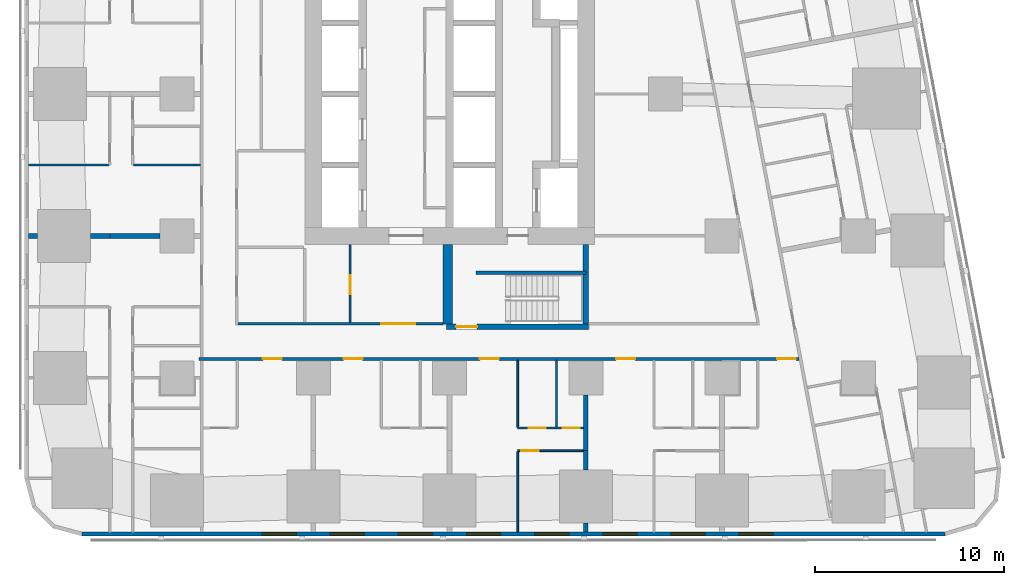
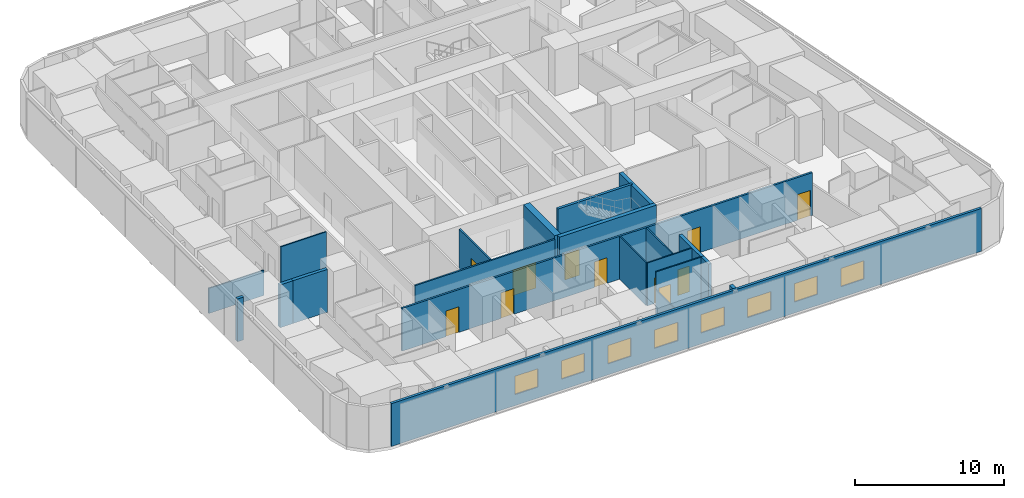
# One storey, part 3 of 15: 21 walls, 11 doors, 8 windows, 19 openings.
"""IFC4 building model written with IfcOpenShell, lengths in metres."""

from ifc_helpers import new_model, si_unit, direction, frame, frame_2d, origin, place, context, subcontext, project, spatial, rectangle, extrude, material, layer, layer_set, type_object, element, fill, save


model = new_model("IFC4")

# Units and contexts
model_context = context("Model", 3, precision=1e-05, world=origin(), true_north=direction((0.0, 1.0)))
body_context = subcontext(model_context, "Body", "Model", "MODEL_VIEW")
ifc_project = project(units=[si_unit("LENGTHUNIT", "METRE"), si_unit("AREAUNIT", "SQUARE_METRE"), si_unit("VOLUMEUNIT", "CUBIC_METRE"), si_unit("PLANEANGLEUNIT", "RADIAN"), si_unit("MASSUNIT", "GRAM", prefix="KILO")], contexts=[model_context])

# Site, building, storey
site_placement = place(None, origin())
site = spatial("IfcSite", under=ifc_project, at=site_placement, CompositionType="ELEMENT")
building_placement = place(site_placement, origin())
building = spatial("IfcBuilding", under=site, at=building_placement, Name="Sheger Commons Tower", CompositionType="ELEMENT")
storey_placement = place(building_placement, frame((0.0, 0.0, 50.0)))
storey = spatial("IfcBuildingStorey", under=building, at=storey_placement, Name="L12", CompositionType="ELEMENT", Elevation=50.0)

# Wall, openings, doors
ifc_material_1 = material(Name="Hollow concrete block masonry, skimmed both sides", Category="masonry")
ifc_layer_1 = layer(ifc_material_1, 0.14990234375)
ifc_layer_set_1 = layer_set([ifc_layer_1], Name="CORRIDOR WALL 150")
wall_type_1 = type_object("IfcWallType", Name="CORRIDOR WALL 150", PredefinedType="SOLIDWALL", material=ifc_layer_set_1)
wall_1_placement = place(storey_placement, frame((40.053955078125, 8.5, 0.0), z_axis=(0.0, 0.0, 1.0), x_axis=(-1.0, 0.0, 0.0)))
wall_1 = element("IfcWall", 1, at=wall_1_placement, inside=storey, type_object=wall_type_1, Name="Corridor wall L12", PredefinedType="SOLIDWALL", context=body_context, shape_type="SweptSolid", body=[
    extrude(rectangle(XDim=31.703857421875, YDim=0.14990234375, at=frame_2d((15.85205078125, 0.0))), origin(), (0.0, 0.0, 1.0), 3.5),
])
opening_1_placement = place(wall_1_placement, frame((27.321044921875, 0.0, 0.0)))
opening_1 = element("IfcOpeningElement", 2, at=opening_1_placement, cuts=wall_1, Name="Opening D1", PredefinedType="OPENING", context=body_context, shape_type="SweptSolid", body=[
    extrude(rectangle(XDim=1.0, YDim=2.10009765625, at=frame_2d((0.5, 1.050048828125))), frame((0.0, 0.0849609375, 0.0), z_axis=(0.0, -1.0, 0.0), x_axis=(1.0, 0.0, 0.0)), (0.0, 0.0, 1.0), 0.169921875),
])
opening_2_placement = place(wall_1_placement, frame((23.053955078125, 0.0, 0.0)))
opening_2 = element("IfcOpeningElement", 3, at=opening_2_placement, cuts=wall_1, Name="Opening D1", PredefinedType="OPENING", context=body_context, shape_type="SweptSolid", body=[
    extrude(rectangle(XDim=1.0, YDim=2.10009765625, at=frame_2d((0.5, 1.050048828125))), frame((0.0, 0.0849609375, 0.0), z_axis=(0.0, -1.0, 0.0), x_axis=(1.0, 0.0, 0.0)), (0.0, 0.0, 1.0), 0.169921875),
])
opening_3_placement = place(wall_1_placement, frame((15.85400390625, 0.0, 0.0)))
opening_3 = element("IfcOpeningElement", 4, at=opening_3_placement, cuts=wall_1, Name="Opening D1", PredefinedType="OPENING", context=body_context, shape_type="SweptSolid", body=[
    extrude(rectangle(XDim=1.0, YDim=2.10009765625, at=frame_2d((0.5, 1.050048828125))), frame((0.0, 0.0849609375, 0.0), z_axis=(0.0, -1.0, 0.0), x_axis=(1.0, 0.0, 0.0)), (0.0, 0.0, 1.0), 0.169921875),
])
opening_4_placement = place(wall_1_placement, frame((8.654052734375, 0.0, 0.0)))
opening_4 = element("IfcOpeningElement", 5, at=opening_4_placement, cuts=wall_1, Name="Opening D1", PredefinedType="OPENING", context=body_context, shape_type="SweptSolid", body=[
    extrude(rectangle(XDim=1.0, YDim=2.10009765625, at=frame_2d((0.5, 1.050048828125))), frame((0.0, 0.0849609375, 0.0), z_axis=(0.0, -1.0, 0.0), x_axis=(1.0, 0.0, 0.0)), (0.0, 0.0, 1.0), 0.169921875),
])
opening_5_placement = place(wall_1_placement, frame((0.14990234375, 0.0, 0.0)))
opening_5 = element("IfcOpeningElement", 6, at=opening_5_placement, cuts=wall_1, Name="Opening D1", PredefinedType="OPENING", context=body_context, shape_type="SweptSolid", body=[
    extrude(rectangle(XDim=1.0, YDim=2.10009765625, at=frame_2d((0.5, 1.050048828125))), frame((0.0, 0.0849609375, 0.0), z_axis=(0.0, -1.0, 0.0), x_axis=(1.0, 0.0, 0.0)), (0.0, 0.0, 1.0), 0.169921875),
])
ifc_material_2 = material(Name="Steel door set, fire rated", Category="steel")
door_type_1 = type_object("IfcDoorType", Name="FLAT ENTRANCE DOOR 1000x2100", OperationType="NOTDEFINED", PredefinedType="DOOR", material=ifc_material_2)
door_1_placement = place(opening_1_placement, origin())
door_1 = element("IfcDoor", 7, at=door_1_placement, inside=storey, type_object=door_type_1, Name="Flat entrance door", OperationType="SINGLE_SWING_LEFT", OverallHeight=2.10009765625, OverallWidth=1.0, PredefinedType="DOOR", context=body_context, shape_type="SweptSolid", body=[
    extrude(rectangle(XDim=1.0, YDim=2.10009765625, at=frame_2d((0.5, 1.050048828125))), frame((0.0, 0.02490234375, 0.0), z_axis=(0.0, -1.0, 0.0), x_axis=(1.0, 0.0, 0.0)), (0.0, 0.0, 1.0), 0.050048828125),
])
fill(opening_1, door_1)
door_2_placement = place(opening_2_placement, origin())
door_2 = element("IfcDoor", 8, at=door_2_placement, inside=storey, type_object=door_type_1, Name="Flat entrance door", OperationType="SINGLE_SWING_LEFT", OverallHeight=2.10009765625, OverallWidth=1.0, PredefinedType="DOOR", context=body_context, shape_type="SweptSolid", body=[
    extrude(rectangle(XDim=1.0, YDim=2.10009765625, at=frame_2d((0.5, 1.050048828125))), frame((0.0, 0.02490234375, 0.0), z_axis=(0.0, -1.0, 0.0), x_axis=(1.0, 0.0, 0.0)), (0.0, 0.0, 1.0), 0.050048828125),
])
fill(opening_2, door_2)
door_3_placement = place(opening_3_placement, origin())
door_3 = element("IfcDoor", 9, at=door_3_placement, inside=storey, type_object=door_type_1, Name="Flat entrance door", OperationType="SINGLE_SWING_LEFT", OverallHeight=2.10009765625, OverallWidth=1.0, PredefinedType="DOOR", context=body_context, shape_type="SweptSolid", body=[
    extrude(rectangle(XDim=1.0, YDim=2.10009765625, at=frame_2d((0.5, 1.050048828125))), frame((0.0, 0.02490234375, 0.0), z_axis=(0.0, -1.0, 0.0), x_axis=(1.0, 0.0, 0.0)), (0.0, 0.0, 1.0), 0.050048828125),
])
fill(opening_3, door_3)
door_4_placement = place(opening_4_placement, origin())
door_4 = element("IfcDoor", 10, at=door_4_placement, inside=storey, type_object=door_type_1, Name="Flat entrance door", OperationType="SINGLE_SWING_LEFT", OverallHeight=2.10009765625, OverallWidth=1.0, PredefinedType="DOOR", context=body_context, shape_type="SweptSolid", body=[
    extrude(rectangle(XDim=1.0, YDim=2.10009765625, at=frame_2d((0.5, 1.050048828125))), frame((0.0, 0.02490234375, 0.0), z_axis=(0.0, -1.0, 0.0), x_axis=(1.0, 0.0, 0.0)), (0.0, 0.0, 1.0), 0.050048828125),
])
fill(opening_4, door_4)
door_5_placement = place(opening_5_placement, origin())
door_5 = element("IfcDoor", 11, at=door_5_placement, inside=storey, type_object=door_type_1, Name="Flat entrance door", OperationType="SINGLE_SWING_LEFT", OverallHeight=2.10009765625, OverallWidth=1.0, PredefinedType="DOOR", context=body_context, shape_type="SweptSolid", body=[
    extrude(rectangle(XDim=1.0, YDim=2.10009765625, at=frame_2d((0.5, 1.050048828125))), frame((0.0, 0.02490234375, 0.0), z_axis=(0.0, -1.0, 0.0), x_axis=(1.0, 0.0, 0.0)), (0.0, 0.0, 1.0), 0.050048828125),
])
fill(opening_5, door_5)

# Walls
ifc_material_3 = material(Name="Dense concrete block masonry, plastered both sides (separating wall between flats)", Category="masonry")
ifc_layer_2 = layer(ifc_material_3, 0.25)
ifc_layer_set_2 = layer_set([ifc_layer_2], Name="DEMISING WALL 250")
wall_type_2 = type_object("IfcWallType", Name="DEMISING WALL 250", PredefinedType="SOLIDWALL", material=ifc_layer_set_2)
wall_2_placement = place(storey_placement, frame((-0.64990234375, 15.0, 0.0), z_axis=(0.0, 0.0, 1.0), x_axis=(1.0, 0.0, 0.0)))
element("IfcWall", 12, at=wall_2_placement, inside=storey, type_object=wall_type_2, Name="Demising wall L12", PredefinedType="SOLIDWALL", context=body_context, shape_type="SweptSolid", body=[
    extrude(rectangle(XDim=0.473876953125, YDim=0.25, at=frame_2d((0.23681640625, 0.0))), origin(), (0.0, 0.0, 1.0), 3.5),
])
wall_3_placement = place(storey_placement, frame((2.6259765625, 15.0, 0.0), z_axis=(0.0, 0.0, 1.0), x_axis=(1.0, 0.0, 0.0)))
element("IfcWall", 13, at=wall_3_placement, inside=storey, type_object=wall_type_2, Name="Demising wall L12", PredefinedType="SOLIDWALL", context=body_context, shape_type="SweptSolid", body=[
    extrude(rectangle(XDim=1.02392578125, YDim=0.25, at=frame_2d((0.511962890625, 0.0))), origin(), (0.0, 0.0, 1.0), 3.5),
])
wall_4_placement = place(storey_placement, frame((3.64990234375, 15.0, 0.0), z_axis=(0.0, 0.0, 1.0), x_axis=(1.0, 0.0, 0.0)))
element("IfcWall", 14, at=wall_4_placement, inside=storey, type_object=wall_type_2, Name="Demising wall L12", PredefinedType="SOLIDWALL", context=body_context, shape_type="SweptSolid", body=[
    extrude(rectangle(XDim=2.649169921875, YDim=0.25, at=frame_2d((1.32470703125, 0.0))), origin(), (0.0, 0.0, 1.0), 3.5),
])
wall_5_placement = place(storey_placement, frame((28.800048828125, -0.64990234375, 0.0), z_axis=(0.0, 0.0, 1.0), x_axis=(0.0, 1.0, 0.0)))
element("IfcWall", 15, at=wall_5_placement, inside=storey, type_object=wall_type_2, Name="Demising wall L12", PredefinedType="SOLIDWALL", context=body_context, shape_type="SweptSolid", body=[
    extrude(rectangle(XDim=0.473876953125, YDim=0.25, at=frame_2d((0.23681640625, 0.0))), origin(), (0.0, 0.0, 1.0), 3.5),
])
wall_6_placement = place(storey_placement, frame((28.800048828125, 2.6259765625, 0.0), z_axis=(0.0, 0.0, 1.0), x_axis=(0.0, 1.0, 0.0)))
element("IfcWall", 16, at=wall_6_placement, inside=storey, type_object=wall_type_2, Name="Demising wall L12", PredefinedType="SOLIDWALL", context=body_context, shape_type="SweptSolid", body=[
    extrude(rectangle(XDim=1.02392578125, YDim=0.25, at=frame_2d((0.511962890625, 0.0))), origin(), (0.0, 0.0, 1.0), 3.5),
])
wall_7_placement = place(storey_placement, frame((28.800048828125, 3.64990234375, 0.0), z_axis=(0.0, 0.0, 1.0), x_axis=(0.0, 1.0, 0.0)))
element("IfcWall", 17, at=wall_7_placement, inside=storey, type_object=wall_type_2, Name="Demising wall L12", PredefinedType="SOLIDWALL", context=body_context, shape_type="SweptSolid", body=[
    extrude(rectangle(XDim=2.94921875, YDim=0.25, at=frame_2d((1.474609375, 0.0))), origin(), (0.0, 0.0, 1.0), 3.5),
])

# Wall, openings, windows
ifc_material_4 = material(Name="Rendered concrete block masonry, dark grey", Category="masonry")
ifc_layer_3 = layer(ifc_material_4, 0.199951171875)
ifc_layer_set_3 = layer_set([ifc_layer_3], Name="FACADE WALL 200")
wall_type_3 = type_object("IfcWallType", Name="FACADE WALL 200", PredefinedType="SOLIDWALL", material=ifc_layer_set_3)
wall_8_placement = place(storey_placement, frame((2.1630859375, -0.75, 0.0), z_axis=(0.0, 0.0, 1.0), x_axis=(1.0, 0.0, 0.0)))
wall_8 = element("IfcWall", 18, at=wall_8_placement, inside=storey, type_object=wall_type_3, Name="Facade wall L12", PredefinedType="SOLIDWALL", context=body_context, shape_type="SweptSolid", body=[
    extrude(rectangle(XDim=45.6279296875, YDim=0.199951171875, at=frame_2d((22.81396484375, 0.0))), origin(), (0.0, 0.0, 1.0), 3.5),
])
opening_6_placement = place(wall_8_placement, frame((9.537109375, 0.0, 0.89990234375)))
opening_6 = element("IfcOpeningElement", 19, at=opening_6_placement, cuts=wall_8, Name="Opening W2", PredefinedType="OPENING", context=body_context, shape_type="SweptSolid", body=[
    extrude(rectangle(XDim=1.800048828125, YDim=1.5, at=frame_2d((0.89990234375, 0.75))), frame((0.0, 0.10986328125, 0.0), z_axis=(0.0, -1.0, 0.0), x_axis=(1.0, 0.0, 0.0)), (0.0, 0.0, 1.0), 0.219970703125),
])
opening_7_placement = place(wall_8_placement, frame((13.136962890625, 0.0, 0.89990234375)))
opening_7 = element("IfcOpeningElement", 20, at=opening_7_placement, cuts=wall_8, Name="Opening W2", PredefinedType="OPENING", context=body_context, shape_type="SweptSolid", body=[
    extrude(rectangle(XDim=1.800048828125, YDim=1.5, at=frame_2d((0.89990234375, 0.75))), frame((0.0, 0.10986328125, 0.0), z_axis=(0.0, -1.0, 0.0), x_axis=(1.0, 0.0, 0.0)), (0.0, 0.0, 1.0), 0.219970703125),
])
opening_8_placement = place(wall_8_placement, frame((16.737060546875, 0.0, 0.89990234375)))
opening_8 = element("IfcOpeningElement", 21, at=opening_8_placement, cuts=wall_8, Name="Opening W2", PredefinedType="OPENING", context=body_context, shape_type="SweptSolid", body=[
    extrude(rectangle(XDim=1.800048828125, YDim=1.5, at=frame_2d((0.89990234375, 0.75))), frame((0.0, 0.10986328125, 0.0), z_axis=(0.0, -1.0, 0.0), x_axis=(1.0, 0.0, 0.0)), (0.0, 0.0, 1.0), 0.219970703125),
])
opening_9_placement = place(wall_8_placement, frame((20.3369140625, 0.0, 0.89990234375)))
opening_9 = element("IfcOpeningElement", 22, at=opening_9_placement, cuts=wall_8, Name="Opening W2", PredefinedType="OPENING", context=body_context, shape_type="SweptSolid", body=[
    extrude(rectangle(XDim=1.800048828125, YDim=1.5, at=frame_2d((0.89990234375, 0.75))), frame((0.0, 0.10986328125, 0.0), z_axis=(0.0, -1.0, 0.0), x_axis=(1.0, 0.0, 0.0)), (0.0, 0.0, 1.0), 0.219970703125),
])
opening_10_placement = place(wall_8_placement, frame((23.93701171875, 0.0, 0.89990234375)))
opening_10 = element("IfcOpeningElement", 23, at=opening_10_placement, cuts=wall_8, Name="Opening W2", PredefinedType="OPENING", context=body_context, shape_type="SweptSolid", body=[
    extrude(rectangle(XDim=1.800048828125, YDim=1.5, at=frame_2d((0.89990234375, 0.75))), frame((0.0, 0.10986328125, 0.0), z_axis=(0.0, -1.0, 0.0), x_axis=(1.0, 0.0, 0.0)), (0.0, 0.0, 1.0), 0.219970703125),
])
opening_11_placement = place(wall_8_placement, frame((27.537109375, 0.0, 0.89990234375)))
opening_11 = element("IfcOpeningElement", 24, at=opening_11_placement, cuts=wall_8, Name="Opening W2", PredefinedType="OPENING", context=body_context, shape_type="SweptSolid", body=[
    extrude(rectangle(XDim=1.800048828125, YDim=1.5, at=frame_2d((0.89990234375, 0.75))), frame((0.0, 0.10986328125, 0.0), z_axis=(0.0, -1.0, 0.0), x_axis=(1.0, 0.0, 0.0)), (0.0, 0.0, 1.0), 0.219970703125),
])
opening_12_placement = place(wall_8_placement, frame((31.136962890625, 0.0, 0.89990234375)))
opening_12 = element("IfcOpeningElement", 25, at=opening_12_placement, cuts=wall_8, Name="Opening W2", PredefinedType="OPENING", context=body_context, shape_type="SweptSolid", body=[
    extrude(rectangle(XDim=1.800048828125, YDim=1.5, at=frame_2d((0.89990234375, 0.75))), frame((0.0, 0.10986328125, 0.0), z_axis=(0.0, -1.0, 0.0), x_axis=(1.0, 0.0, 0.0)), (0.0, 0.0, 1.0), 0.219970703125),
])
opening_13_placement = place(wall_8_placement, frame((34.737060546875, 0.0, 0.89990234375)))
opening_13 = element("IfcOpeningElement", 26, at=opening_13_placement, cuts=wall_8, Name="Opening W2", PredefinedType="OPENING", context=body_context, shape_type="SweptSolid", body=[
    extrude(rectangle(XDim=1.800048828125, YDim=1.5, at=frame_2d((0.89990234375, 0.75))), frame((0.0, 0.10986328125, 0.0), z_axis=(0.0, -1.0, 0.0), x_axis=(1.0, 0.0, 0.0)), (0.0, 0.0, 1.0), 0.219970703125),
])
ifc_material_5 = material(Name="Black aluminium frame, dark tinted double glazing", Category="aluminium")
window_type = type_object("IfcWindowType", Name="WINDOW W2 1800x1500", PartitioningType="SINGLE_PANEL", PredefinedType="WINDOW", material=ifc_material_5)
window_1_placement = place(opening_6_placement, origin())
window_1 = element("IfcWindow", 27, at=window_1_placement, inside=storey, type_object=window_type, Name="Window W2 1800X1500", OverallHeight=1.5, OverallWidth=1.800048828125, PartitioningType="SINGLE_PANEL", PredefinedType="WINDOW", context=body_context, shape_type="SweptSolid", body=[
    extrude(rectangle(XDim=1.800048828125, YDim=1.5, at=frame_2d((0.89990234375, 0.75))), frame((0.0, 0.030029296875, 0.0), z_axis=(0.0, -1.0, 0.0), x_axis=(1.0, 0.0, 0.0)), (0.0, 0.0, 1.0), 0.06005859375),
])
fill(opening_6, window_1)
window_2_placement = place(opening_7_placement, origin())
window_2 = element("IfcWindow", 28, at=window_2_placement, inside=storey, type_object=window_type, Name="Window W2 1800X1500", OverallHeight=1.5, OverallWidth=1.800048828125, PartitioningType="SINGLE_PANEL", PredefinedType="WINDOW", context=body_context, shape_type="SweptSolid", body=[
    extrude(rectangle(XDim=1.800048828125, YDim=1.5, at=frame_2d((0.89990234375, 0.75))), frame((0.0, 0.030029296875, 0.0), z_axis=(0.0, -1.0, 0.0), x_axis=(1.0, 0.0, 0.0)), (0.0, 0.0, 1.0), 0.06005859375),
])
fill(opening_7, window_2)
window_3_placement = place(opening_8_placement, origin())
window_3 = element("IfcWindow", 29, at=window_3_placement, inside=storey, type_object=window_type, Name="Window W2 1800X1500", OverallHeight=1.5, OverallWidth=1.800048828125, PartitioningType="SINGLE_PANEL", PredefinedType="WINDOW", context=body_context, shape_type="SweptSolid", body=[
    extrude(rectangle(XDim=1.800048828125, YDim=1.5, at=frame_2d((0.89990234375, 0.75))), frame((0.0, 0.030029296875, 0.0), z_axis=(0.0, -1.0, 0.0), x_axis=(1.0, 0.0, 0.0)), (0.0, 0.0, 1.0), 0.06005859375),
])
fill(opening_8, window_3)
window_4_placement = place(opening_9_placement, origin())
window_4 = element("IfcWindow", 30, at=window_4_placement, inside=storey, type_object=window_type, Name="Window W2 1800X1500", OverallHeight=1.5, OverallWidth=1.800048828125, PartitioningType="SINGLE_PANEL", PredefinedType="WINDOW", context=body_context, shape_type="SweptSolid", body=[
    extrude(rectangle(XDim=1.800048828125, YDim=1.5, at=frame_2d((0.89990234375, 0.75))), frame((0.0, 0.030029296875, 0.0), z_axis=(0.0, -1.0, 0.0), x_axis=(1.0, 0.0, 0.0)), (0.0, 0.0, 1.0), 0.06005859375),
])
fill(opening_9, window_4)
window_5_placement = place(opening_10_placement, origin())
window_5 = element("IfcWindow", 31, at=window_5_placement, inside=storey, type_object=window_type, Name="Window W2 1800X1500", OverallHeight=1.5, OverallWidth=1.800048828125, PartitioningType="SINGLE_PANEL", PredefinedType="WINDOW", context=body_context, shape_type="SweptSolid", body=[
    extrude(rectangle(XDim=1.800048828125, YDim=1.5, at=frame_2d((0.89990234375, 0.75))), frame((0.0, 0.030029296875, 0.0), z_axis=(0.0, -1.0, 0.0), x_axis=(1.0, 0.0, 0.0)), (0.0, 0.0, 1.0), 0.06005859375),
])
fill(opening_10, window_5)
window_6_placement = place(opening_11_placement, origin())
window_6 = element("IfcWindow", 32, at=window_6_placement, inside=storey, type_object=window_type, Name="Window W2 1800X1500", OverallHeight=1.5, OverallWidth=1.800048828125, PartitioningType="SINGLE_PANEL", PredefinedType="WINDOW", context=body_context, shape_type="SweptSolid", body=[
    extrude(rectangle(XDim=1.800048828125, YDim=1.5, at=frame_2d((0.89990234375, 0.75))), frame((0.0, 0.030029296875, 0.0), z_axis=(0.0, -1.0, 0.0), x_axis=(1.0, 0.0, 0.0)), (0.0, 0.0, 1.0), 0.06005859375),
])
fill(opening_11, window_6)
window_7_placement = place(opening_12_placement, origin())
window_7 = element("IfcWindow", 33, at=window_7_placement, inside=storey, type_object=window_type, Name="Window W2 1800X1500", OverallHeight=1.5, OverallWidth=1.800048828125, PartitioningType="SINGLE_PANEL", PredefinedType="WINDOW", context=body_context, shape_type="SweptSolid", body=[
    extrude(rectangle(XDim=1.800048828125, YDim=1.5, at=frame_2d((0.89990234375, 0.75))), frame((0.0, 0.030029296875, 0.0), z_axis=(0.0, -1.0, 0.0), x_axis=(1.0, 0.0, 0.0)), (0.0, 0.0, 1.0), 0.06005859375),
])
fill(opening_12, window_7)
window_8_placement = place(opening_13_placement, origin())
window_8 = element("IfcWindow", 34, at=window_8_placement, inside=storey, type_object=window_type, Name="Window W2 1800X1500", OverallHeight=1.5, OverallWidth=1.800048828125, PartitioningType="SINGLE_PANEL", PredefinedType="WINDOW", context=body_context, shape_type="SweptSolid", body=[
    extrude(rectangle(XDim=1.800048828125, YDim=1.5, at=frame_2d((0.89990234375, 0.75))), frame((0.0, 0.030029296875, 0.0), z_axis=(0.0, -1.0, 0.0), x_axis=(1.0, 0.0, 0.0)), (0.0, 0.0, 1.0), 0.06005859375),
])
fill(opening_13, window_8)

# Walls
ifc_material_6 = material(Name="Gypsum board on steel studs", Category="steel")
ifc_layer_4 = layer(ifc_material_6, 0.10009765625)
ifc_layer_set_4 = layer_set([ifc_layer_4], Name="PARTITION 100")
wall_type_4 = type_object("IfcWallType", Name="PARTITION 100", PredefinedType="PARTITIONING", material=ifc_layer_set_4)
wall_9_placement = place(storey_placement, frame((-0.64990234375, 18.75, 0.0), z_axis=(0.0, 0.0, 1.0), x_axis=(1.0, 0.0, 0.0)))
element("IfcWall", 35, at=wall_9_placement, inside=storey, type_object=wall_type_4, Name="Partition L12", PredefinedType="PARTITIONING", context=body_context, shape_type="SweptSolid", body=[
    extrude(rectangle(XDim=4.25, YDim=0.10009765625, at=frame_2d((2.125, 0.0))), origin(), (0.0, 0.0, 1.0), 2.050048828125),
])
wall_10_placement = place(storey_placement, frame((4.89990234375, 18.75, 0.0), z_axis=(0.0, 0.0, 1.0), x_axis=(1.0, 0.0, 0.0)))
element("IfcWall", 36, at=wall_10_placement, inside=storey, type_object=wall_type_4, Name="Partition L12", PredefinedType="PARTITIONING", context=body_context, shape_type="SweptSolid", body=[
    extrude(rectangle(XDim=3.525146484375, YDim=0.10009765625, at=frame_2d((1.7626953125, 0.0))), origin(), (0.0, 0.0, 1.0), 3.5),
])

# Wall, opening, door
wall_11_placement = place(storey_placement, frame((28.675048828125, 3.64990234375, 0.0), z_axis=(0.0, 0.0, 1.0), x_axis=(-1.0, 0.0, 0.0)))
wall_11 = element("IfcWall", 37, at=wall_11_placement, inside=storey, type_object=wall_type_4, Name="Partition L12", PredefinedType="PARTITIONING", context=body_context, shape_type="SweptSolid", body=[
    extrude(rectangle(XDim=3.47509765625, YDim=0.10009765625, at=frame_2d((1.737548828125, 0.0))), origin(), (0.0, 0.0, 1.0), 3.5),
])
opening_14_placement = place(wall_11_placement, frame((2.375, 0.0, 0.0)))
opening_14 = element("IfcOpeningElement", 38, at=opening_14_placement, cuts=wall_11, Name="Opening D2", PredefinedType="OPENING", context=body_context, shape_type="SweptSolid", body=[
    extrude(rectangle(XDim=0.89990234375, YDim=2.10009765625, at=frame_2d((0.449951171875, 1.050048828125))), frame((0.0, 0.06005859375, 0.0), z_axis=(0.0, -1.0, 0.0), x_axis=(1.0, 0.0, 0.0)), (0.0, 0.0, 1.0), 0.1201171875),
])
ifc_material_7 = material(Name="Timber door set", Category="wood")
door_type_2 = type_object("IfcDoorType", Name="INTERNAL DOOR 900x2100", OperationType="NOTDEFINED", PredefinedType="DOOR", material=ifc_material_7)
door_6_placement = place(opening_14_placement, origin())
door_6 = element("IfcDoor", 39, at=door_6_placement, inside=storey, type_object=door_type_2, Name="Main bedroom door", OperationType="SINGLE_SWING_RIGHT", OverallHeight=2.10009765625, OverallWidth=0.89990234375, PredefinedType="DOOR", context=body_context, shape_type="SweptSolid", body=[
    extrude(rectangle(XDim=0.89990234375, YDim=2.10009765625, at=frame_2d((0.449951171875, 1.050048828125))), frame((0.0, 0.02490234375, 0.0), z_axis=(0.0, -1.0, 0.0), x_axis=(1.0, 0.0, 0.0)), (0.0, 0.0, 1.0), 0.050048828125),
])
fill(opening_14, door_6)

# Wall, openings, doors
wall_12_placement = place(storey_placement, frame((28.675048828125, 4.85009765625, 0.0), z_axis=(0.0, 0.0, 1.0), x_axis=(-1.0, 0.0, 0.0)))
wall_12 = element("IfcWall", 40, at=wall_12_placement, inside=storey, type_object=wall_type_4, Name="Partition L12", PredefinedType="PARTITIONING", context=body_context, shape_type="SweptSolid", body=[
    extrude(rectangle(XDim=3.47509765625, YDim=0.10009765625, at=frame_2d((1.737548828125, 0.0))), origin(), (0.0, 0.0, 1.0), 3.5),
])
opening_15_placement = place(wall_12_placement, frame((2.0, 0.0, 0.0)))
opening_15 = element("IfcOpeningElement", 41, at=opening_15_placement, cuts=wall_12, Name="Opening D2", PredefinedType="OPENING", context=body_context, shape_type="SweptSolid", body=[
    extrude(rectangle(XDim=0.89990234375, YDim=2.10009765625, at=frame_2d((0.449951171875, 1.050048828125))), frame((0.0, 0.06005859375, 0.0), z_axis=(0.0, -1.0, 0.0), x_axis=(1.0, 0.0, 0.0)), (0.0, 0.0, 1.0), 0.1201171875),
])
opening_16_placement = place(wall_12_placement, frame((0.199951171875, 0.0, 0.0)))
opening_16 = element("IfcOpeningElement", 42, at=opening_16_placement, cuts=wall_12, Name="Opening D2", PredefinedType="OPENING", context=body_context, shape_type="SweptSolid", body=[
    extrude(rectangle(XDim=0.89990234375, YDim=2.10009765625, at=frame_2d((0.449951171875, 1.050048828125))), frame((0.0, 0.06005859375, 0.0), z_axis=(0.0, -1.0, 0.0), x_axis=(1.0, 0.0, 0.0)), (0.0, 0.0, 1.0), 0.1201171875),
])
door_7_placement = place(opening_15_placement, origin())
door_7 = element("IfcDoor", 43, at=door_7_placement, inside=storey, type_object=door_type_2, Name="Bathroom door", OperationType="SINGLE_SWING_LEFT", OverallHeight=2.10009765625, OverallWidth=0.89990234375, PredefinedType="DOOR", context=body_context, shape_type="SweptSolid", body=[
    extrude(rectangle(XDim=0.89990234375, YDim=2.10009765625, at=frame_2d((0.449951171875, 1.050048828125))), frame((0.0, 0.02490234375, 0.0), z_axis=(0.0, -1.0, 0.0), x_axis=(1.0, 0.0, 0.0)), (0.0, 0.0, 1.0), 0.050048828125),
])
fill(opening_15, door_7)
door_8_placement = place(opening_16_placement, origin())
door_8 = element("IfcDoor", 44, at=door_8_placement, inside=storey, type_object=door_type_2, Name="Store door", OperationType="SINGLE_SWING_RIGHT", OverallHeight=2.10009765625, OverallWidth=0.89990234375, PredefinedType="DOOR", context=body_context, shape_type="SweptSolid", body=[
    extrude(rectangle(XDim=0.89990234375, YDim=2.10009765625, at=frame_2d((0.449951171875, 1.050048828125))), frame((0.0, 0.02490234375, 0.0), z_axis=(0.0, -1.0, 0.0), x_axis=(1.0, 0.0, 0.0)), (0.0, 0.0, 1.0), 0.050048828125),
])
fill(opening_16, door_8)

# Walls
wall_13_placement = place(storey_placement, frame((25.199951171875, -0.64990234375, 0.0), z_axis=(0.0, 0.0, 1.0), x_axis=(0.0, 1.0, 0.0)))
element("IfcWall", 45, at=wall_13_placement, inside=storey, type_object=wall_type_4, Name="Partition L12", PredefinedType="PARTITIONING", context=body_context, shape_type="SweptSolid", body=[
    extrude(rectangle(XDim=4.25, YDim=0.10009765625, at=frame_2d((2.125, 0.0))), origin(), (0.0, 0.0, 1.0), 2.050048828125),
])
for number, where, z_axis, x_axis, name in (
    (46, (25.199951171875, 4.89990234375, 0.0), (0.0, 0.0, 1.0), (0.0, 1.0, 0.0), "Partition L12"),
    (47, (27.25, 4.89990234375, 0.0), (0.0, 0.0, 1.0), (0.0, 1.0, 0.0), "Partition L12"),
):
    element("IfcWall", number, at=place(storey_placement, frame(where, z_axis=z_axis, x_axis=x_axis)), inside=storey, type_object=wall_type_4, Name=name, PredefinedType="PARTITIONING", context=body_context, shape_type="SweptSolid", body=[
        extrude(rectangle(XDim=3.525146484375, YDim=0.10009765625, at=frame_2d((1.7626953125, 0.0))), origin(), (0.0, 0.0, 1.0), 3.5),
    ])

# Wall, opening, door
ifc_material_8 = material(Name="Gypsum board on steel studs, two layers each side, fire rated", Category="steel")
ifc_layer_5 = layer(ifc_material_8, 0.125)
ifc_layer_set_5 = layer_set([ifc_layer_5], Name="SERVICE WALL 125")
wall_type_5 = type_object("IfcWallType", Name="SERVICE WALL 125", PredefinedType="PARTITIONING", material=ifc_layer_set_5)
wall_14_placement = place(storey_placement, frame((10.4130859375, 10.35009765625, 0.0), z_axis=(0.0, 0.0, 1.0), x_axis=(1.0, 0.0, 0.0)))
wall_14 = element("IfcWall", 48, at=wall_14_placement, inside=storey, type_object=wall_type_5, Name="Service room wall L12", PredefinedType="PARTITIONING", context=body_context, shape_type="SweptSolid", body=[
    extrude(rectangle(XDim=10.8369140625, YDim=0.125, at=frame_2d((5.41845703125, 0.0))), origin(), (0.0, 0.0, 1.0), 3.5),
])
opening_17_placement = place(wall_14_placement, frame((7.58203125, 0.0, 0.0)))
opening_17 = element("IfcOpeningElement", 49, at=opening_17_placement, cuts=wall_14, Name="Opening D6", PredefinedType="OPENING", context=body_context, shape_type="SweptSolid", body=[
    extrude(rectangle(XDim=1.800048828125, YDim=2.10009765625, at=frame_2d((0.89990234375, 1.050048828125))), frame((0.0, 0.072509765625, 0.0), z_axis=(0.0, -1.0, 0.0), x_axis=(1.0, 0.0, 0.0)), (0.0, 0.0, 1.0), 0.14501953125),
])
ifc_material_9 = material(Name="Steel door set, fire rated", Category="steel")
door_type_3 = type_object("IfcDoorType", Name="LOBBY DOUBLE DOOR 1800x2100", OperationType="DOUBLE_DOOR_SINGLE_SWING", PredefinedType="DOOR", material=ifc_material_9)
door_9_placement = place(opening_17_placement, origin())
door_9 = element("IfcDoor", 50, at=door_9_placement, inside=storey, type_object=door_type_3, Name="Lift lobby south door", OperationType="DOUBLE_DOOR_SINGLE_SWING", OverallHeight=2.10009765625, OverallWidth=1.800048828125, PredefinedType="DOOR", context=body_context, shape_type="SweptSolid", body=[
    extrude(rectangle(XDim=1.800048828125, YDim=2.10009765625, at=frame_2d((0.89990234375, 1.050048828125))), frame((0.0, 0.02490234375, 0.0), z_axis=(0.0, -1.0, 0.0), x_axis=(1.0, 0.0, 0.0)), (0.0, 0.0, 1.0), 0.050048828125),
])
fill(opening_17, door_9)

wall_15_placement = place(storey_placement, frame((16.340087890625, 10.4130859375, 0.0), z_axis=(0.0, 0.0, 1.0), x_axis=(0.0, 1.0, 0.0)))
wall_15 = element("IfcWall", 51, at=wall_15_placement, inside=storey, type_object=wall_type_5, Name="Service room wall L12", PredefinedType="PARTITIONING", context=body_context, shape_type="SweptSolid", body=[
    extrude(rectangle(XDim=4.136962890625, YDim=0.125, at=frame_2d((2.068359375, 0.0))), origin(), (0.0, 0.0, 1.0), 3.5),
])
opening_18_placement = place(wall_15_placement, frame((1.511962890625, 0.0, 0.0)))
opening_18 = element("IfcOpeningElement", 52, at=opening_18_placement, cuts=wall_15, Name="Opening D4", PredefinedType="OPENING", context=body_context, shape_type="SweptSolid", body=[
    extrude(rectangle(XDim=1.0, YDim=2.10009765625, at=frame_2d((0.5, 1.050048828125))), frame((0.0, 0.072509765625, 0.0), z_axis=(0.0, -1.0, 0.0), x_axis=(1.0, 0.0, 0.0)), (0.0, 0.0, 1.0), 0.14501953125),
])
ifc_material_10 = material(Name="Steel door set, fire rated", Category="steel")
door_type_4 = type_object("IfcDoorType", Name="SERVICE DOOR 1000x2100", OperationType="NOTDEFINED", PredefinedType="DOOR", material=ifc_material_10)
door_10_placement = place(opening_18_placement, origin())
door_10 = element("IfcDoor", 53, at=door_10_placement, inside=storey, type_object=door_type_4, Name="Electrical room door", OperationType="SINGLE_SWING_LEFT", OverallHeight=2.10009765625, OverallWidth=1.0, PredefinedType="DOOR", context=body_context, shape_type="SweptSolid", body=[
    extrude(rectangle(XDim=1.0, YDim=2.10009765625, at=frame_2d((0.5, 1.050048828125))), frame((0.0, 0.02490234375, 0.0), z_axis=(0.0, -1.0, 0.0), x_axis=(1.0, 0.0, 0.0)), (0.0, 0.0, 1.0), 0.050048828125),
])
fill(opening_18, door_10)

ifc_material_11 = material(Name="Concrete C50/60", Category="concrete")
ifc_layer_6 = layer(ifc_material_11, 0.300048828125)
ifc_layer_set_6 = layer_set([ifc_layer_6], Name="STAIR CORE WALL 300")
wall_type_6 = type_object("IfcWallType", Name="STAIR CORE WALL 300", PredefinedType="SHEAR", material=ifc_layer_set_6)
wall_16_placement = place(storey_placement, frame((21.449951171875, 10.199951171875, 0.0), z_axis=(0.0, 0.0, 1.0), x_axis=(1.0, 0.0, 0.0)))
wall_16 = element("IfcWall", 54, at=wall_16_placement, inside=storey, type_object=wall_type_6, Name="STW-L12-S1S", PredefinedType="SHEAR", context=body_context, shape_type="SweptSolid", body=[
    extrude(rectangle(XDim=7.5, YDim=0.300048828125, at=frame_2d((3.75, 0.0))), origin(), (0.0, 0.0, 1.0), 3.75),
])
opening_19_placement = place(wall_16_placement, frame((0.5, 0.0, 0.0)))
opening_19 = element("IfcOpeningElement", 55, at=opening_19_placement, cuts=wall_16, Name="Opening D5", PredefinedType="OPENING", context=body_context, shape_type="SweptSolid", body=[
    extrude(rectangle(XDim=1.10009765625, YDim=2.10009765625, at=frame_2d((0.550048828125, 1.050048828125))), frame((0.0, 0.159912109375, 0.0), z_axis=(0.0, -1.0, 0.0), x_axis=(1.0, 0.0, 0.0)), (0.0, 0.0, 1.0), 0.320068359375),
])
ifc_material_12 = material(Name="Steel door set, fire rated", Category="steel")
door_type_5 = type_object("IfcDoorType", Name="STAIR DOOR 1100x2100", OperationType="NOTDEFINED", PredefinedType="DOOR", material=ifc_material_12)
door_11_placement = place(opening_19_placement, origin())
door_11 = element("IfcDoor", 56, at=door_11_placement, inside=storey, type_object=door_type_5, Name="Stair S1 door", OperationType="SINGLE_SWING_LEFT", OverallHeight=2.10009765625, OverallWidth=1.10009765625, PredefinedType="DOOR", context=body_context, shape_type="SweptSolid", body=[
    extrude(rectangle(XDim=1.10009765625, YDim=2.10009765625, at=frame_2d((0.550048828125, 1.050048828125))), frame((0.0, 0.02490234375, 0.0), z_axis=(0.0, -1.0, 0.0), x_axis=(1.0, 0.0, 0.0)), (0.0, 0.0, 1.0), 0.050048828125),
])
fill(opening_19, door_11)

# Walls
wall_17_placement = place(storey_placement, frame((28.800048828125, 10.35009765625, 0.0), z_axis=(0.0, 0.0, 1.0), x_axis=(0.0, 1.0, 0.0)))
element("IfcWall", 57, at=wall_17_placement, inside=storey, type_object=wall_type_6, Name="STW-L12-S1E", PredefinedType="SHEAR", context=body_context, shape_type="SweptSolid", body=[
    extrude(rectangle(XDim=4.199951171875, YDim=0.300048828125, at=frame_2d((2.10009765625, 0.0))), origin(), (0.0, 0.0, 1.0), 3.75),
])
ifc_material_13 = material(Name="Concrete C50/60", Category="concrete")
ifc_layer_7 = layer(ifc_material_13, 0.5)
ifc_layer_set_7 = layer_set([ifc_layer_7], Name="STAIR CORE WALL 500")
wall_type_7 = type_object("IfcWallType", Name="STAIR CORE WALL 500", PredefinedType="SHEAR", material=ifc_layer_set_7)
wall_18_placement = place(storey_placement, frame((21.5, 10.35009765625, 0.0), z_axis=(0.0, 0.0, 1.0), x_axis=(0.0, 1.0, 0.0)))
element("IfcWall", 58, at=wall_18_placement, inside=storey, type_object=wall_type_7, Name="STW-L12-S1W", PredefinedType="SHEAR", context=body_context, shape_type="SweptSolid", body=[
    extrude(rectangle(XDim=4.199951171875, YDim=0.5, at=frame_2d((2.10009765625, 0.0))), origin(), (0.0, 0.0, 1.0), 3.75),
])
ifc_material_14 = material(Name="Concrete C50/60", Category="concrete")
ifc_layer_8 = layer(ifc_material_14, 0.199951171875)
ifc_layer_set_8 = layer_set([ifc_layer_8], Name="STAIR SPINE WALL 200")
wall_type_8 = type_object("IfcWallType", Name="STAIR SPINE WALL 200", PredefinedType="SHEAR", material=ifc_layer_set_8)
wall_19_placement = place(storey_placement, frame((23.0, 13.050048828125, 0.0), z_axis=(0.0, 0.0, 1.0), x_axis=(1.0, 0.0, 0.0)))
element("IfcWall", 59, at=wall_19_placement, inside=storey, type_object=wall_type_8, Name="Stair spine wall L12", PredefinedType="SHEAR", context=body_context, shape_type="SweptSolid", body=[
    extrude(rectangle(XDim=5.800048828125, YDim=0.199951171875, at=frame_2d((2.89990234375, 0.0))), origin(), (0.0, 0.0, 1.0), 3.75),
])

save(model, "model.ifc")
